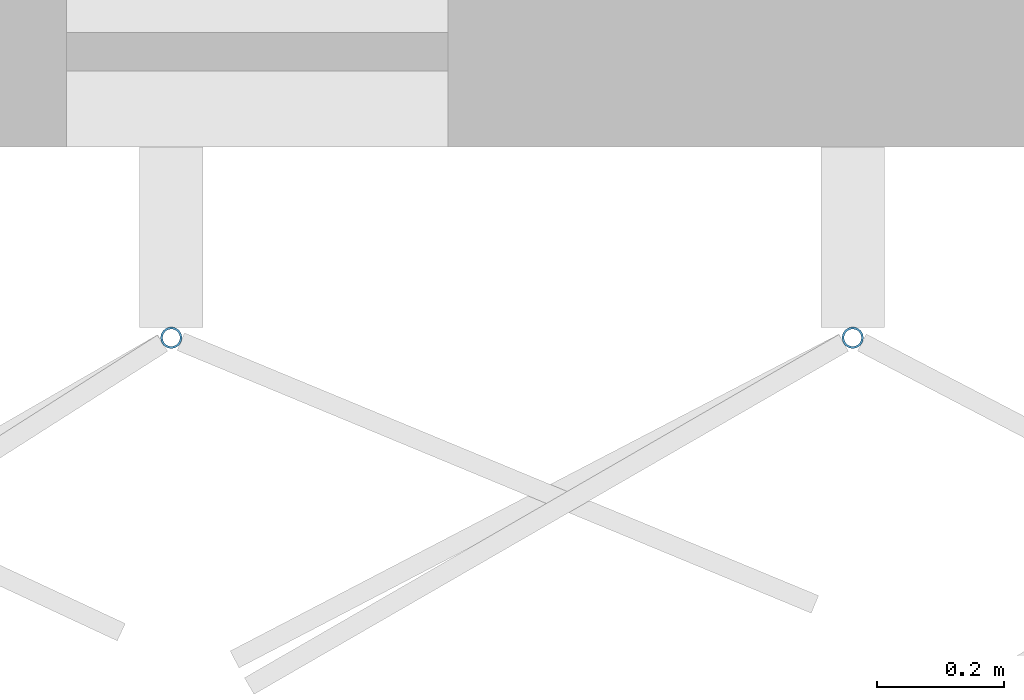
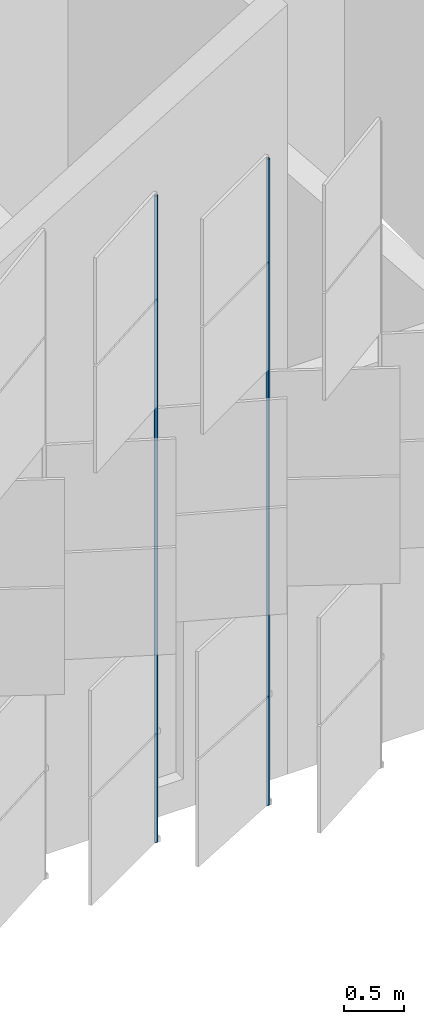
# One storey, part 214 of 483: 2 discrete accessories.
"""IFC4 building model written with IfcOpenShell, lengths in metres."""

from ifc_helpers import new_model, si_unit, direction, frame, origin, origin_2d, place, context, subcontext, project, spatial, hollow_circle, extrude, material, material_profile, profile_set, type_object, element, save


model = new_model("IFC4")

# Units and contexts
model_context = context("Model", 3, precision=1e-05, world=origin(), true_north=direction((0.0, 1.0)))
body_context = subcontext(model_context, "Body", "Model", "MODEL_VIEW")
ifc_project = project(units=[si_unit("LENGTHUNIT", "METRE"), si_unit("AREAUNIT", "SQUARE_METRE"), si_unit("VOLUMEUNIT", "CUBIC_METRE"), si_unit("PLANEANGLEUNIT", "RADIAN"), si_unit("MASSUNIT", "GRAM", prefix="KILO")], contexts=[model_context])

# Site, building, storey
site_placement = place(None, origin())
site = spatial("IfcSite", under=ifc_project, at=site_placement, CompositionType="ELEMENT")
building_placement = place(site_placement, origin())
building = spatial("IfcBuilding", under=site, at=building_placement, Name="Parallax Yard Mobility Hub", CompositionType="ELEMENT")
storey_placement = place(building_placement, frame((0.0, 0.0, 13.199951171875)))
storey = spatial("IfcBuildingStorey", under=building, at=storey_placement, Name="L04", CompositionType="ELEMENT", Elevation=13.199951171875)

# Discrete accessories
ifc_material = material(Name="Steel ASTM A500 Gr C, hot-dip galvanised", Category="steel")
ifc_material_profile = material_profile(ifc_material, hollow_circle(Radius=0.016845703125, WallThickness=0.003173828125, at=origin_2d()), Name="CHS 33.7x3.2")
ifc_profile_set = profile_set([ifc_material_profile], Name="Steel ASTM A500 Gr C, hot-dip galvanised")
discrete_accessory_type = type_object("IfcDiscreteAccessoryType", Name="Hinge post CHS 33.7x3.2", PredefinedType="BRACKET", material=ifc_profile_set)
for number, where, z_axis, x_axis, name in (
    (1, (136.064697265625, 112.199951171875, 0.0), (0.0, 0.0, 1.0), (1.0, 0.0, 0.0), "Hinge post bay 13.9 level L04"),
    (2, (137.136962890625, 112.199951171875, 0.0), (0.0, 0.0, 1.0), (1.0, 0.0, 0.0), "Hinge post bay 13.10 level L04"),
):
    element("IfcDiscreteAccessory", number, at=place(storey_placement, frame(where, z_axis=z_axis, x_axis=x_axis)), inside=storey, type_object=discrete_accessory_type, Name=name, PredefinedType="BRACKET", context=body_context, shape_type="SweptSolid", body=[
        extrude(hollow_circle(Radius=0.016845703125, WallThickness=0.003173828125, at=origin_2d()), origin(), (0.0, 0.0, 1.0), 6.550048828125),
    ])

save(model, "model.ifc")
